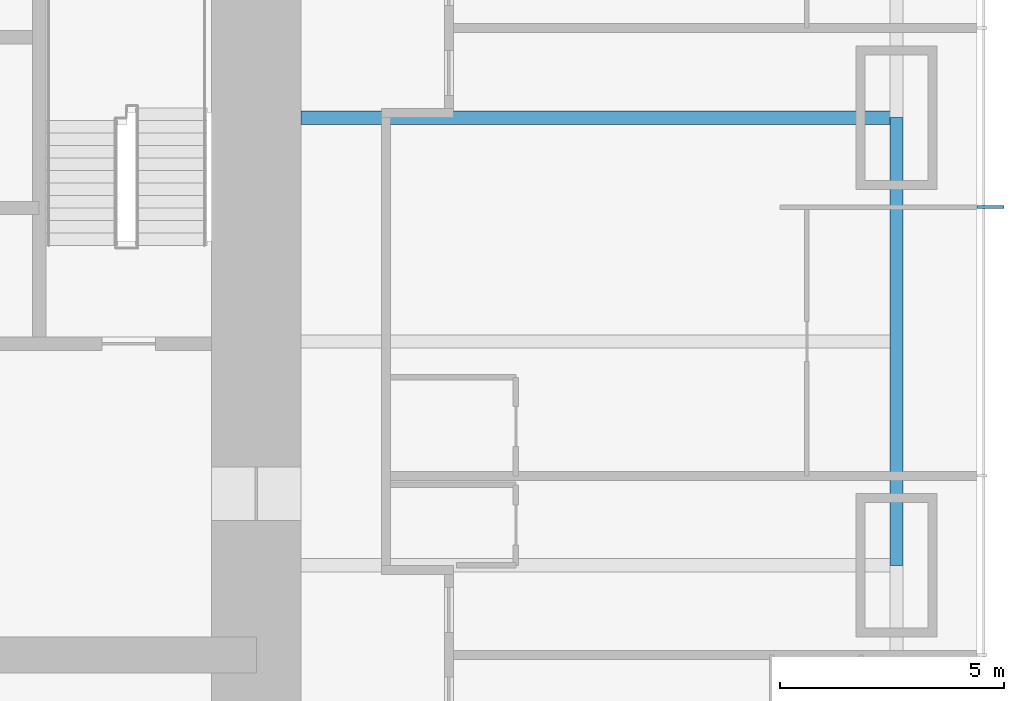
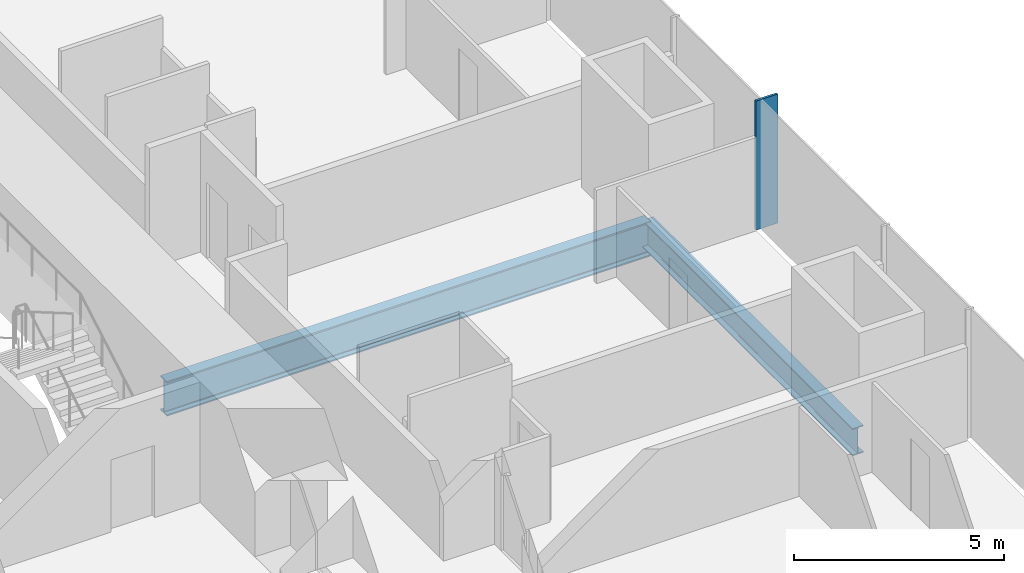
# One storey, part 5 of 17: 2 beams, 1 member, 1 element without a shape of its own.
"""IFC4 building model written with IfcOpenShell, lengths in metres."""

from ifc_helpers import new_model, si_unit, direction, frame, origin, origin_2d, place, context, subcontext, project, spatial, rectangle, i_section, extrude, material, material_profile, profile_set, type_object, element, aggregate, save


model = new_model("IFC4")

# Units and contexts
model_context = context("Model", 3, precision=1e-05, world=origin(), true_north=direction((0.0, 1.0)))
body_context = subcontext(model_context, "Body", "Model", "MODEL_VIEW")
ifc_project = project(units=[si_unit("LENGTHUNIT", "METRE"), si_unit("AREAUNIT", "SQUARE_METRE"), si_unit("VOLUMEUNIT", "CUBIC_METRE"), si_unit("PLANEANGLEUNIT", "RADIAN"), si_unit("MASSUNIT", "GRAM", prefix="KILO")], contexts=[model_context])

# Site, building, storey
site_placement = place(None, origin())
site = spatial("IfcSite", under=ifc_project, at=site_placement, CompositionType="ELEMENT")
building_placement = place(site_placement, origin())
building = spatial("IfcBuilding", under=site, at=building_placement, Name="Khuree Lantern Residences", CompositionType="ELEMENT")
storey_placement = place(building_placement, frame((0.0, 0.0, 43.5)))
storey = spatial("IfcBuildingStorey", under=building, at=storey_placement, Name="L10", CompositionType="ELEMENT", Elevation=43.5)

# Beam
ifc_material_1 = material(Name="Steel S355", Category="steel")
ifc_material_profile_1 = material_profile(ifc_material_1, i_section(OverallWidth=0.300048828125, OverallDepth=0.7900390625, WebThickness=0.014892578125, FlangeThickness=0.028076171875, FilletRadius=0.030029296875, at=origin_2d()), Name="HE 800 A")
ifc_profile_set_1 = profile_set([ifc_material_profile_1], Name="Steel S355")
beam_type_1 = type_object("IfcBeamType", Name="E-12 SPANDREL BEAM HE 800 A", PredefinedType="SPANDREL", material=ifc_profile_set_1)
beam_1_placement = place(storey_placement, frame((29.800048828125, 0.0, -0.64501953125), z_axis=(0.0, -1.0, 0.0), x_axis=(1.0, 0.0, 0.0)))
element("IfcBeam", 1, at=beam_1_placement, inside=storey, type_object=beam_type_1, Name="Spandrel beam E4", PredefinedType="SPANDREL", context=body_context, shape_type="SweptSolid", body=[
    extrude(i_section(OverallWidth=0.300048828125, OverallDepth=0.7900390625, WebThickness=0.014892578125, FlangeThickness=0.028076171875, FilletRadius=0.030029296875, at=origin_2d()), origin(), (0.0, 0.0, 1.0), 10.0),
])

# Curtain wall, member
ifc_material_2 = material(Name="Bronze anodised aluminium", Category="aluminium")
curtain_wall_type = type_object("IfcCurtainWallType", Name="CW-T1 TOWER FACE CURTAIN WALL", PredefinedType="USERDEFINED", material=ifc_material_2)
curtain_wall_placement = place(storey_placement, origin())
curtain_wall = element("IfcCurtainWall", 2, at=curtain_wall_placement, inside=storey, type_object=curtain_wall_type, Name="L10 EAST FACE CURTAIN WALL", ObjectType="Stick-built curtain wall", PredefinedType="USERDEFINED")
ifc_material_profile_2 = material_profile(ifc_material_2, rectangle(XDim=0.06494140625, YDim=0.60009765625, at=origin_2d()), Name="F1 65X600")
ifc_profile_set_2 = profile_set([ifc_material_profile_2], Name="Bronze anodised aluminium")
member_type = type_object("IfcMemberType", Name="F1 BRONZE FIN MULLION TOWER 65X600", PredefinedType="MULLION", material=ifc_profile_set_2)
member_placement = place(storey_placement, frame((31.89990234375, -2.0, 0.0), z_axis=(0.0, 0.0, 1.0), x_axis=(0.0, 1.0, 0.0)))
member = element("IfcMember", 3, at=member_placement, type_object=member_type, Name="L10 EAST FACE FIN MULLION 9", PredefinedType="MULLION", context=body_context, shape_type="SweptSolid", body=[
    extrude(rectangle(XDim=0.06494140625, YDim=0.60009765625, at=origin_2d()), origin(), (0.0, 0.0, 1.0), 3.75),
])
aggregate(curtain_wall, [member])

# Beam
ifc_material_profile_3 = material_profile(ifc_material_1, i_section(OverallWidth=0.302001953125, OverallDepth=1.008056640625, WebThickness=0.02099609375, FlangeThickness=0.0400390625, FilletRadius=0.030029296875, at=origin_2d()), Name="HE 1000 M")
ifc_profile_set_3 = profile_set([ifc_material_profile_3], Name="Steel S355")
beam_type_2 = type_object("IfcBeamType", Name="G-12 GIRDER HE 1000 M", PredefinedType="BEAM", material=ifc_profile_set_3)
beam_2_placement = place(storey_placement, frame((29.800048828125, 0.0, -0.75390625), z_axis=(-1.0, 0.0, 0.0), x_axis=(0.0, -1.0, 0.0)))
element("IfcBeam", 4, at=beam_2_placement, inside=storey, type_object=beam_type_2, Name="Girder E3", PredefinedType="BEAM", context=body_context, shape_type="SweptSolid", body=[
    extrude(i_section(OverallWidth=0.302001953125, OverallDepth=1.008056640625, WebThickness=0.02099609375, FlangeThickness=0.0400390625, FilletRadius=0.030029296875, at=origin_2d()), origin(), (0.0, 0.0, 1.0), 13.300048828125),
])

save(model, "model.ifc")
